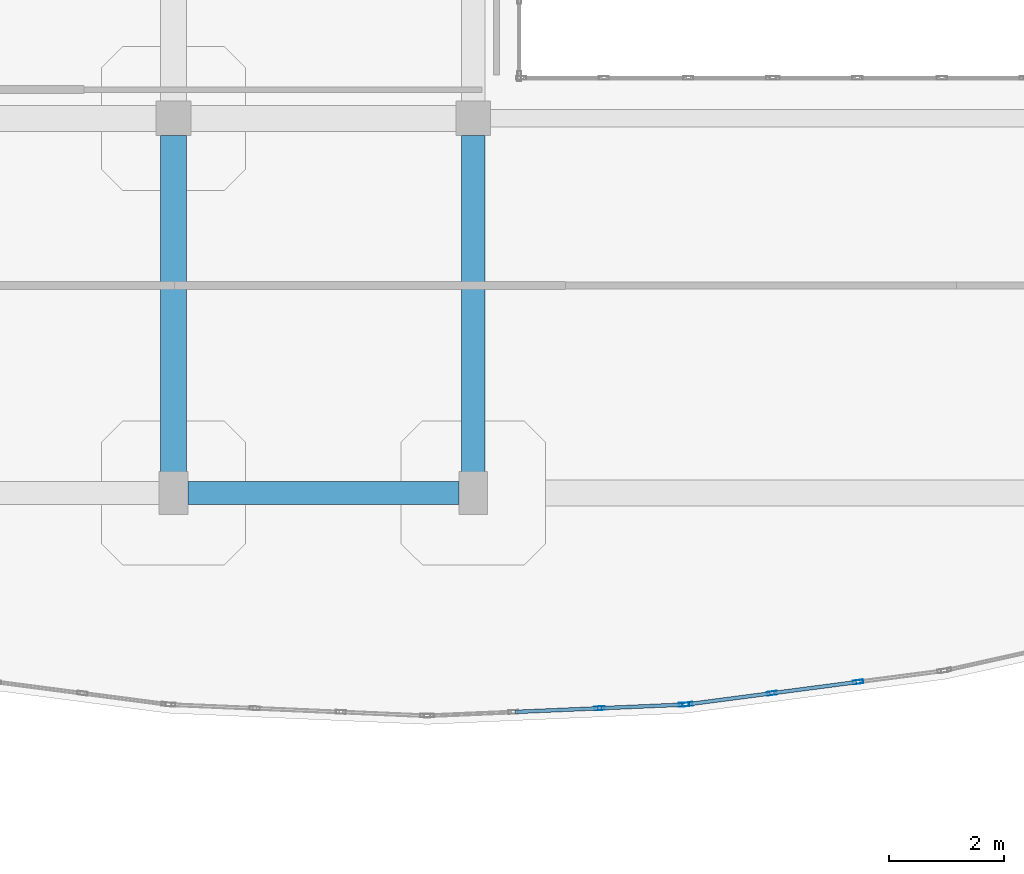
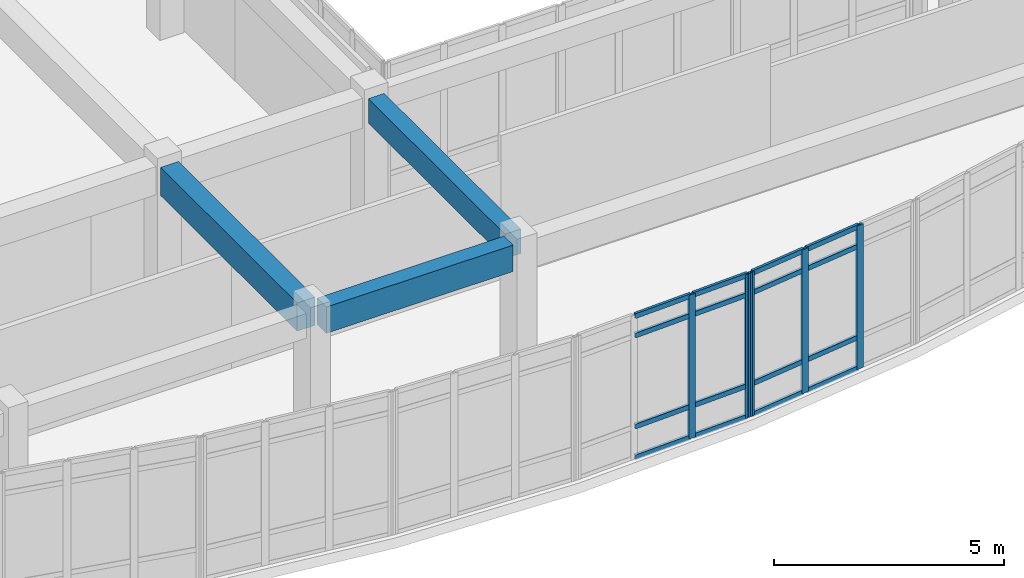
# One storey, part 90 of 146: 21 members, 3 beams, 2 elements without a shape of their own.
"""IFC4 building model written with IfcOpenShell, lengths in metres."""

from ifc_helpers import new_model, si_unit, direction, frame, origin, origin_2d, place, context, subcontext, project, spatial, rectangle, hollow_rectangle, extrude, material, layer, layer_set, material_profile, profile_set, type_object, element, aggregate, save


model = new_model("IFC4")

# Units and contexts
model_context = context("Model", 3, precision=1e-05, world=origin(), true_north=direction((0.0, 1.0)))
body_context = subcontext(model_context, "Body", "Model", "MODEL_VIEW")
ifc_project = project(units=[si_unit("LENGTHUNIT", "METRE"), si_unit("AREAUNIT", "SQUARE_METRE"), si_unit("VOLUMEUNIT", "CUBIC_METRE"), si_unit("PLANEANGLEUNIT", "RADIAN"), si_unit("MASSUNIT", "GRAM", prefix="KILO")], contexts=[model_context])

# Site, building, storey
site_placement = place(None, origin())
site = spatial("IfcSite", under=ifc_project, at=site_placement, CompositionType="ELEMENT")
building_placement = place(site_placement, origin())
building = spatial("IfcBuilding", under=site, at=building_placement, Name="Valcora Specialist Clinic", CompositionType="ELEMENT")
storey_placement = place(building_placement, frame((0.0, 0.0, 9.52001953125)))
storey = spatial("IfcBuildingStorey", under=building, at=storey_placement, Name="L02", CompositionType="ELEMENT", Elevation=9.52001953125)

# Beams
ifc_material_1 = material(Name="Concrete C40/50", Category="concrete")
ifc_material_profile_1 = material_profile(ifc_material_1, rectangle(XDim=0.39990234375, YDim=0.64990234375, at=origin_2d()), Name="RC-BM-400X650")
ifc_profile_set_1 = profile_set([ifc_material_profile_1], Name="Concrete C40/50")
beam_type_1 = type_object("IfcBeamType", Name="TY-BM-RC400X650", PredefinedType="BEAM", material=ifc_profile_set_1)
beam_1_placement = place(storey_placement, frame((111.199951171875, 75.050048828125, 3.494873046875), z_axis=(0.0, 1.0, 0.0), x_axis=(-1.0, 0.0, 0.0)))
element("IfcBeam", 1, at=beam_1_placement, inside=storey, type_object=beam_type_1, Name="Beam BM-L02-0757", PredefinedType="BEAM", context=body_context, shape_type="SweptSolid", body=[
    extrude(rectangle(XDim=0.39990234375, YDim=0.64990234375, at=origin_2d()), origin(), (0.0, 0.0, 1.0), 5.949951171875),
])
ifc_material_profile_2 = material_profile(ifc_material_1, rectangle(XDim=0.39990234375, YDim=0.699951171875, at=origin_2d()), Name="RC-BM-400X700")
ifc_profile_set_2 = profile_set([ifc_material_profile_2], Name="Concrete C40/50")
beam_type_2 = type_object("IfcBeamType", Name="TY-BM-RC400X700", PredefinedType="BEAM", material=ifc_profile_set_2)
beam_2_placement = place(storey_placement, frame((106.25, 74.800048828125, 3.469970703125), z_axis=(1.0, 0.0, 0.0), x_axis=(0.0, 1.0, 0.0)))
element("IfcBeam", 2, at=beam_2_placement, inside=storey, type_object=beam_type_2, Name="Beam BM-L02-0700", PredefinedType="BEAM", context=body_context, shape_type="SweptSolid", body=[
    extrude(rectangle(XDim=0.39990234375, YDim=0.699951171875, at=origin_2d()), origin(), (0.0, 0.0, 1.0), 4.699951171875),
])
ifc_material_profile_3 = material_profile(ifc_material_1, rectangle(XDim=0.449951171875, YDim=0.75, at=origin_2d()), Name="RC-BM-450X750")
ifc_profile_set_3 = profile_set([ifc_material_profile_3], Name="Concrete C40/50")
beam_type_3 = type_object("IfcBeamType", Name="TY-BM-RC450X750", PredefinedType="BEAM", material=ifc_profile_set_3)
beam_3_placement = place(storey_placement, frame((106.0, 75.050048828125, 3.445068359375), z_axis=(0.0, 1.0, 0.0), x_axis=(-1.0, 0.0, 0.0)))
element("IfcBeam", 3, at=beam_3_placement, inside=storey, type_object=beam_type_3, Name="Beam BM-L02-0753", PredefinedType="BEAM", context=body_context, shape_type="SweptSolid", body=[
    extrude(rectangle(XDim=0.449951171875, YDim=0.75, at=origin_2d()), origin(), (0.0, 0.0, 1.0), 5.949951171875),
])

# Curtain wall, members
ifc_material_2 = material(Name="Anodized Bronze Aluminium 6063-T6", Category="aluminium")
ifc_layer = layer(ifc_material_2, 0.175048828125)
ifc_layer_set = layer_set([ifc_layer], Name="Anodized Bronze Aluminium 6063-T6")
curtain_wall_type = type_object("IfcCurtainWallType", Name="TY-CW-ARC40", PredefinedType="NOTDEFINED", material=ifc_layer_set)
curtain_wall_1_placement = place(storey_placement, origin())
curtain_wall_1 = element("IfcCurtainWall", 4, at=curtain_wall_1_placement, inside=storey, type_object=curtain_wall_type, Name="Curtain wall CW-L02-087", PredefinedType="NOTDEFINED")
ifc_material_profile_4 = material_profile(ifc_material_2, hollow_rectangle(XDim=0.06494140625, YDim=0.175048828125, WallThickness=0.00390625, at=origin_2d()), Name="AL-MUL-65X175")
ifc_profile_set_4 = profile_set([ifc_material_profile_4], Name="Anodized Bronze Aluminium 6063-T6")
member_type_1 = type_object("IfcMemberType", Name="TY-CWM-65X175", PredefinedType="MULLION", material=ifc_profile_set_4)
member_1_placement = place(storey_placement, frame((117.87841796875, 71.521728515625, 0.0), z_axis=(0.0, 0.0, 1.0), x_axis=(0.129999492259, -0.991514060421, 0.0)))
member_1 = element("IfcMember", 5, at=member_1_placement, type_object=member_type_1, Name="CW-ARC-40 mullion 2", PredefinedType="MULLION", context=body_context, shape_type="SweptSolid", body=[
    extrude(hollow_rectangle(XDim=0.06494140625, YDim=0.175048828125, WallThickness=0.00390625, at=origin_2d()), origin(), (0.0, 0.0, 1.0), 3.820068359375),
])
member_2_placement = place(storey_placement, frame((116.382568359375, 71.32568359375, 0.0), z_axis=(0.0, 0.0, 1.0), x_axis=(0.129999492259, -0.991514060421, 0.0)))
member_2 = element("IfcMember", 6, at=member_2_placement, type_object=member_type_1, Name="CW-ARC-40 mullion 3", PredefinedType="MULLION", context=body_context, shape_type="SweptSolid", body=[
    extrude(hollow_rectangle(XDim=0.06494140625, YDim=0.175048828125, WallThickness=0.00390625, at=origin_2d()), origin(), (0.0, 0.0, 1.0), 3.820068359375),
])
member_3_placement = place(storey_placement, frame((114.919189453125, 71.1337890625, 0.0), z_axis=(0.0, 0.0, 1.0), x_axis=(0.129999492259, -0.991514060421, 0.0)))
member_3 = element("IfcMember", 7, at=member_3_placement, type_object=member_type_1, Name="CW-ARC-40 mullion 4", PredefinedType="MULLION", context=body_context, shape_type="SweptSolid", body=[
    extrude(hollow_rectangle(XDim=0.06494140625, YDim=0.175048828125, WallThickness=0.00390625, at=origin_2d()), origin(), (0.0, 0.0, 1.0), 3.820068359375),
])

curtain_wall_2_placement = place(storey_placement, origin())
curtain_wall_2 = element("IfcCurtainWall", 8, at=curtain_wall_2_placement, inside=storey, type_object=curtain_wall_type, Name="Curtain wall CW-L02-088", PredefinedType="NOTDEFINED")
member_4_placement = place(storey_placement, frame((114.8544921875, 71.128173828125, 0.0), z_axis=(0.0, 0.0, 1.0), x_axis=(0.043306780525, -0.999061821291, 0.0)))
member_4 = element("IfcMember", 9, at=member_4_placement, type_object=member_type_1, Name="CW-ARC-40 mullion 1", PredefinedType="MULLION", context=body_context, shape_type="SweptSolid", body=[
    extrude(hollow_rectangle(XDim=0.06494140625, YDim=0.175048828125, WallThickness=0.00390625, at=origin_2d()), origin(), (0.0, 0.0, 1.0), 3.820068359375),
])
member_5_placement = place(storey_placement, frame((113.391357421875, 71.064697265625, 0.0), z_axis=(0.0, 0.0, 1.0), x_axis=(0.043306780525, -0.999061821291, 0.0)))
member_5 = element("IfcMember", 10, at=member_5_placement, type_object=member_type_1, Name="CW-ARC-40 mullion 2", PredefinedType="MULLION", context=body_context, shape_type="SweptSolid", body=[
    extrude(hollow_rectangle(XDim=0.06494140625, YDim=0.175048828125, WallThickness=0.00390625, at=origin_2d()), origin(), (0.0, 0.0, 1.0), 3.820068359375),
])

# Member
ifc_material_profile_5 = material_profile(ifc_material_2, hollow_rectangle(XDim=0.06494140625, YDim=0.1298828125, WallThickness=0.00390625, at=origin_2d()), Name="AL-TRN-65X130")
ifc_profile_set_5 = profile_set([ifc_material_profile_5], Name="Anodized Bronze Aluminium 6063-T6")
member_type_2 = type_object("IfcMemberType", Name="TY-CWT-65X130", PredefinedType="USERDEFINED", material=ifc_profile_set_5)
member_6_placement = place(storey_placement, frame((117.84619140625, 71.517578125, 0.032470703125), z_axis=(-0.991507743319, -0.130047664099, 0.0), x_axis=(0.130047664099, -0.991507743319, 0.0)))
member_6 = element("IfcMember", 11, at=member_6_placement, type_object=member_type_2, Name="CW-ARC-40 transom 2.1", ObjectType="TRANSOM", PredefinedType="USERDEFINED", context=body_context, shape_type="SweptSolid", body=[
    extrude(hollow_rectangle(XDim=0.06494140625, YDim=0.1298828125, WallThickness=0.00390625, at=origin_2d()), origin(), (0.0, 0.0, 1.0), 1.443603515625),
])

member_7_placement = place(storey_placement, frame((117.84619140625, 71.517578125, 0.85009765625), z_axis=(-0.991507743319, -0.130047664099, 0.0), x_axis=(0.130047664099, -0.991507743319, 0.0)))
member_7 = element("IfcMember", 12, at=member_7_placement, type_object=member_type_2, Name="CW-ARC-40 transom 2.2", ObjectType="TRANSOM", PredefinedType="USERDEFINED", context=body_context, shape_type="SweptSolid", body=[
    extrude(hollow_rectangle(XDim=0.06494140625, YDim=0.1298828125, WallThickness=0.00390625, at=origin_2d()), origin(), (0.0, 0.0, 1.0), 1.443603515625),
])

member_8_placement = place(storey_placement, frame((117.84619140625, 71.517578125, 3.27001953125), z_axis=(-0.991507743319, -0.130047664099, 0.0), x_axis=(0.130047664099, -0.991507743319, 0.0)))
member_8 = element("IfcMember", 13, at=member_8_placement, type_object=member_type_2, Name="CW-ARC-40 transom 2.3", ObjectType="TRANSOM", PredefinedType="USERDEFINED", context=body_context, shape_type="SweptSolid", body=[
    extrude(hollow_rectangle(XDim=0.06494140625, YDim=0.1298828125, WallThickness=0.00390625, at=origin_2d()), origin(), (0.0, 0.0, 1.0), 1.443603515625),
])

member_9_placement = place(storey_placement, frame((117.84619140625, 71.517578125, 3.78759765625), z_axis=(-0.991507743319, -0.130047664099, 0.0), x_axis=(0.130047664099, -0.991507743319, 0.0)))
member_9 = element("IfcMember", 14, at=member_9_placement, type_object=member_type_2, Name="CW-ARC-40 transom 2.4", ObjectType="TRANSOM", PredefinedType="USERDEFINED", context=body_context, shape_type="SweptSolid", body=[
    extrude(hollow_rectangle(XDim=0.06494140625, YDim=0.1298828125, WallThickness=0.00390625, at=origin_2d()), origin(), (0.0, 0.0, 1.0), 1.443603515625),
])

member_10_placement = place(storey_placement, frame((116.350341796875, 71.321533203125, 0.032470703125), z_axis=(-0.991497823208, -0.130123274529, 0.0), x_axis=(0.130123274529, -0.991497823208, 0.0)))
member_10 = element("IfcMember", 15, at=member_10_placement, type_object=member_type_2, Name="CW-ARC-40 transom 3.1", ObjectType="TRANSOM", PredefinedType="USERDEFINED", context=body_context, shape_type="SweptSolid", body=[
    extrude(hollow_rectangle(XDim=0.06494140625, YDim=0.1298828125, WallThickness=0.00390625, at=origin_2d()), origin(), (0.0, 0.0, 1.0), 1.410888671875),
])

member_11_placement = place(storey_placement, frame((116.350341796875, 71.321533203125, 0.85009765625), z_axis=(-0.991497823208, -0.130123274529, 0.0), x_axis=(0.130123274529, -0.991497823208, 0.0)))
member_11 = element("IfcMember", 16, at=member_11_placement, type_object=member_type_2, Name="CW-ARC-40 transom 3.2", ObjectType="TRANSOM", PredefinedType="USERDEFINED", context=body_context, shape_type="SweptSolid", body=[
    extrude(hollow_rectangle(XDim=0.06494140625, YDim=0.1298828125, WallThickness=0.00390625, at=origin_2d()), origin(), (0.0, 0.0, 1.0), 1.410888671875),
])

member_12_placement = place(storey_placement, frame((116.350341796875, 71.321533203125, 3.27001953125), z_axis=(-0.991497823208, -0.130123274529, 0.0), x_axis=(0.130123274529, -0.991497823208, 0.0)))
member_12 = element("IfcMember", 17, at=member_12_placement, type_object=member_type_2, Name="CW-ARC-40 transom 3.3", ObjectType="TRANSOM", PredefinedType="USERDEFINED", context=body_context, shape_type="SweptSolid", body=[
    extrude(hollow_rectangle(XDim=0.06494140625, YDim=0.1298828125, WallThickness=0.00390625, at=origin_2d()), origin(), (0.0, 0.0, 1.0), 1.410888671875),
])

member_13_placement = place(storey_placement, frame((116.350341796875, 71.321533203125, 3.78759765625), z_axis=(-0.991497823208, -0.130123274529, 0.0), x_axis=(0.130123274529, -0.991497823208, 0.0)))
member_13 = element("IfcMember", 18, at=member_13_placement, type_object=member_type_2, Name="CW-ARC-40 transom 3.4", ObjectType="TRANSOM", PredefinedType="USERDEFINED", context=body_context, shape_type="SweptSolid", body=[
    extrude(hollow_rectangle(XDim=0.06494140625, YDim=0.1298828125, WallThickness=0.00390625, at=origin_2d()), origin(), (0.0, 0.0, 1.0), 1.410888671875),
])

aggregate(curtain_wall_1, [member_1, member_2, member_3, member_6, member_7, member_8, member_9, member_10, member_11, member_12, member_13])

member_14_placement = place(storey_placement, frame((114.822021484375, 71.126708984375, 0.032470703125), z_axis=(-0.999063713567, -0.043263104761, 0.0), x_axis=(0.043263104761, -0.999063713567, 0.0)))
member_14 = element("IfcMember", 19, at=member_14_placement, type_object=member_type_2, Name="CW-ARC-40 transom 1.1", ObjectType="TRANSOM", PredefinedType="USERDEFINED", context=body_context, shape_type="SweptSolid", body=[
    extrude(hollow_rectangle(XDim=0.06494140625, YDim=0.1298828125, WallThickness=0.00390625, at=origin_2d()), origin(), (0.0, 0.0, 1.0), 1.3994140625),
])

member_15_placement = place(storey_placement, frame((114.822021484375, 71.126708984375, 0.85009765625), z_axis=(-0.999063713567, -0.043263104761, 0.0), x_axis=(0.043263104761, -0.999063713567, 0.0)))
member_15 = element("IfcMember", 20, at=member_15_placement, type_object=member_type_2, Name="CW-ARC-40 transom 1.2", ObjectType="TRANSOM", PredefinedType="USERDEFINED", context=body_context, shape_type="SweptSolid", body=[
    extrude(hollow_rectangle(XDim=0.06494140625, YDim=0.1298828125, WallThickness=0.00390625, at=origin_2d()), origin(), (0.0, 0.0, 1.0), 1.3994140625),
])

member_16_placement = place(storey_placement, frame((114.822021484375, 71.126708984375, 3.27001953125), z_axis=(-0.999063713567, -0.043263104761, 0.0), x_axis=(0.043263104761, -0.999063713567, 0.0)))
member_16 = element("IfcMember", 21, at=member_16_placement, type_object=member_type_2, Name="CW-ARC-40 transom 1.3", ObjectType="TRANSOM", PredefinedType="USERDEFINED", context=body_context, shape_type="SweptSolid", body=[
    extrude(hollow_rectangle(XDim=0.06494140625, YDim=0.1298828125, WallThickness=0.00390625, at=origin_2d()), origin(), (0.0, 0.0, 1.0), 1.3994140625),
])

member_17_placement = place(storey_placement, frame((114.822021484375, 71.126708984375, 3.78759765625), z_axis=(-0.999063713567, -0.043263104761, 0.0), x_axis=(0.043263104761, -0.999063713567, 0.0)))
member_17 = element("IfcMember", 22, at=member_17_placement, type_object=member_type_2, Name="CW-ARC-40 transom 1.4", ObjectType="TRANSOM", PredefinedType="USERDEFINED", context=body_context, shape_type="SweptSolid", body=[
    extrude(hollow_rectangle(XDim=0.06494140625, YDim=0.1298828125, WallThickness=0.00390625, at=origin_2d()), origin(), (0.0, 0.0, 1.0), 1.3994140625),
])

member_18_placement = place(storey_placement, frame((113.35888671875, 71.0634765625, 0.032470703125), z_axis=(-0.999054549301, -0.043474216736, 0.0), x_axis=(0.043474216736, -0.999054549301, 0.0)))
member_18 = element("IfcMember", 23, at=member_18_placement, type_object=member_type_2, Name="CW-ARC-40 transom 2.1", ObjectType="TRANSOM", PredefinedType="USERDEFINED", context=body_context, shape_type="SweptSolid", body=[
    extrude(hollow_rectangle(XDim=0.06494140625, YDim=0.1298828125, WallThickness=0.00390625, at=origin_2d()), origin(), (0.0, 0.0, 1.0), 1.43212890625),
])

member_19_placement = place(storey_placement, frame((113.35888671875, 71.0634765625, 0.85009765625), z_axis=(-0.999054549301, -0.043474216736, 0.0), x_axis=(0.043474216736, -0.999054549301, 0.0)))
member_19 = element("IfcMember", 24, at=member_19_placement, type_object=member_type_2, Name="CW-ARC-40 transom 2.2", ObjectType="TRANSOM", PredefinedType="USERDEFINED", context=body_context, shape_type="SweptSolid", body=[
    extrude(hollow_rectangle(XDim=0.06494140625, YDim=0.1298828125, WallThickness=0.00390625, at=origin_2d()), origin(), (0.0, 0.0, 1.0), 1.43212890625),
])

member_20_placement = place(storey_placement, frame((113.35888671875, 71.0634765625, 3.27001953125), z_axis=(-0.999054549301, -0.043474216736, 0.0), x_axis=(0.043474216736, -0.999054549301, 0.0)))
member_20 = element("IfcMember", 25, at=member_20_placement, type_object=member_type_2, Name="CW-ARC-40 transom 2.3", ObjectType="TRANSOM", PredefinedType="USERDEFINED", context=body_context, shape_type="SweptSolid", body=[
    extrude(hollow_rectangle(XDim=0.06494140625, YDim=0.1298828125, WallThickness=0.00390625, at=origin_2d()), origin(), (0.0, 0.0, 1.0), 1.43212890625),
])

member_21_placement = place(storey_placement, frame((113.35888671875, 71.0634765625, 3.78759765625), z_axis=(-0.999054549301, -0.043474216736, 0.0), x_axis=(0.043474216736, -0.999054549301, 0.0)))
member_21 = element("IfcMember", 26, at=member_21_placement, type_object=member_type_2, Name="CW-ARC-40 transom 2.4", ObjectType="TRANSOM", PredefinedType="USERDEFINED", context=body_context, shape_type="SweptSolid", body=[
    extrude(hollow_rectangle(XDim=0.06494140625, YDim=0.1298828125, WallThickness=0.00390625, at=origin_2d()), origin(), (0.0, 0.0, 1.0), 1.43212890625),
])

aggregate(curtain_wall_2, [member_4, member_5, member_14, member_15, member_16, member_17, member_18, member_19, member_20, member_21])

save(model, "model.ifc")
